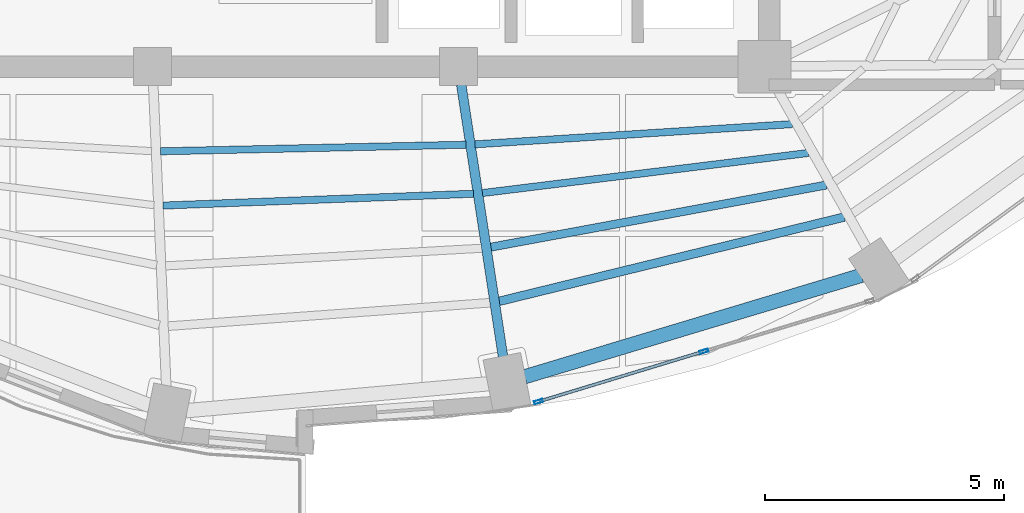
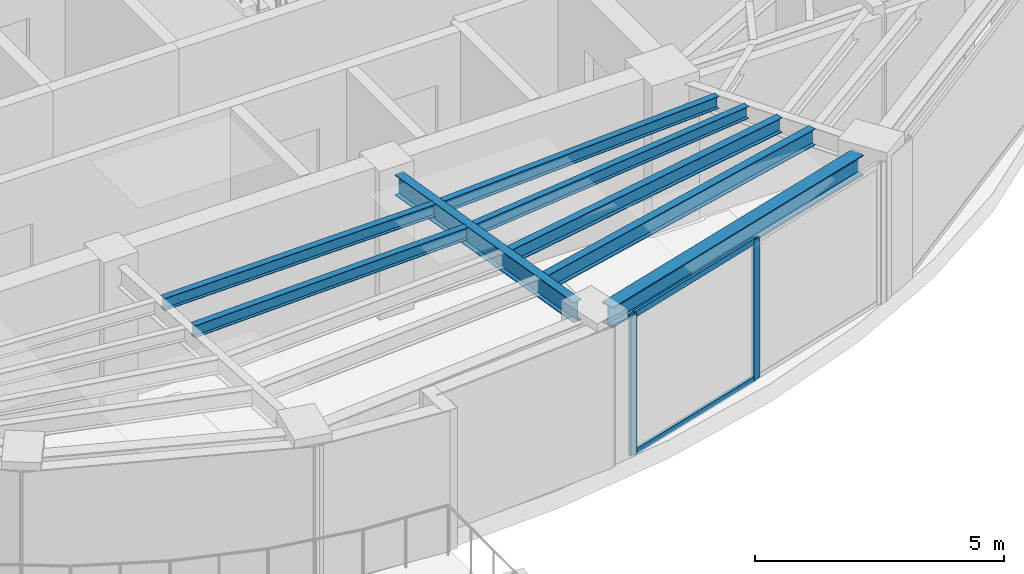
# One storey, part 2 of 15: 8 beams, 4 members, 1 element without a shape of its own.
"""IFC4 building model written with IfcOpenShell, lengths in metres."""

import ifcopenshell
import ifcopenshell.guid

model = None  # the IFC model being written
_history = None  # IfcOwnerHistory: only IFC2X3 demands one
_inside = {}  # id of a spatial element -> (the spatial element, [elements in it])
_under = {}  # id of a project, library or spatial element -> (it, [spatial elements below it])
_declared = {}  # id of a project -> (the project, [libraries it declares])
_typed = {}  # id of a type object -> (the type object, [elements of that type])
_made_of = {}  # id of a material, layer set ... -> (it, [elements and type objects made of it])


def new_model(schema):
    """Start an empty IFC model of exactly this schema.

    Asked for "IFC4X3", IfcOpenShell would pick the latest addendum, in which some entities
    have other attributes; the version numbers below select the first issue.
    IFC2X3 requires an IfcOwnerHistory on every rooted entity: one is made here for all.
    """
    global model, _history
    if schema == "IFC4X3":
        model = ifcopenshell.file(schema_version=(4, 3, 0, 0))
    else:
        model = ifcopenshell.file(schema=schema)
    _inside.clear()
    _under.clear()
    _declared.clear()
    _typed.clear()
    _made_of.clear()
    _history = None
    if model.schema == "IFC2X3":
        org = make("IfcOrganization", Name="unknown")
        user = make(
            "IfcPersonAndOrganization",
            ThePerson=make("IfcPerson", FamilyName="unknown"),
            TheOrganization=org,
        )
        app = make(
            "IfcApplication",
            ApplicationDeveloper=org,
            Version="unknown",
            ApplicationFullName="unknown",
            ApplicationIdentifier="unknown",
        )
        _history = make(
            "IfcOwnerHistory",
            OwningUser=user,
            OwningApplication=app,
            ChangeAction="ADDED",
            CreationDate=0,
        )
    return model


def make(cls, **values):
    """One entity of the class cls with the attributes given. An attribute that is None is left unset."""
    return model.create_entity(
        cls, **{name: value for name, value in values.items() if value is not None}
    )


def rooted(cls, **values):
    """An entity with a GlobalId (a new one), such as an element, a storey or a relation."""
    return make(cls, GlobalId=ifcopenshell.guid.new(), OwnerHistory=_history, **values)


def si_unit(unit_type, name, prefix=None):
    """IfcSIUnit, for example si_unit("LENGTHUNIT", "METRE", prefix="MILLI")."""
    return make("IfcSIUnit", UnitType=unit_type, Prefix=prefix, Name=name)


def assignment(units):
    """IfcUnitAssignment: the units of a project."""
    return None if units is None else make("IfcUnitAssignment", Units=units)


def point(xyz):
    """IfcCartesianPoint."""
    return None if xyz is None else make("IfcCartesianPoint", Coordinates=xyz)


def direction(xyz):
    """IfcDirection."""
    return None if xyz is None else make("IfcDirection", DirectionRatios=xyz)


def frame(location, z_axis=None, x_axis=None):
    """IfcAxis2Placement3D, a coordinate frame: its origin and axes. An axis left out is left unset."""
    return make(
        "IfcAxis2Placement3D",
        Location=point(location),
        Axis=direction(z_axis),
        RefDirection=direction(x_axis),
    )


def frame_2d(location, x_axis=None):
    """IfcAxis2Placement2D, a coordinate frame in the plane: its origin and x axis."""
    return make(
        "IfcAxis2Placement2D", Location=point(location), RefDirection=direction(x_axis)
    )


def origin():
    """The frame at (0, 0, 0) with its axes left unset."""
    return frame((0.0, 0.0, 0.0))


def origin_2d():
    """The frame at (0, 0) in the plane with its x axis left unset."""
    return frame_2d((0.0, 0.0))


def place(relative_to, where):
    """IfcLocalPlacement: puts the frame where relative to a parent placement (None: the world)."""
    return make(
        "IfcLocalPlacement", PlacementRelTo=relative_to, RelativePlacement=where
    )


def context(
    kind, dimensions, precision=None, world=None, true_north=None, identifier=None
):
    """IfcGeometricRepresentationContext, for example the 3D "Model" context."""
    return make(
        "IfcGeometricRepresentationContext",
        ContextIdentifier=identifier,
        ContextType=kind,
        CoordinateSpaceDimension=dimensions,
        Precision=precision,
        WorldCoordinateSystem=world,
        TrueNorth=true_north,
    )


def subcontext(parent, identifier, kind, view, scale=None):
    """IfcGeometricRepresentationSubContext, for example "Body" below "Model"."""
    return make(
        "IfcGeometricRepresentationSubContext",
        ContextIdentifier=identifier,
        ContextType=kind,
        ParentContext=parent,
        TargetScale=scale,
        TargetView=view,
    )


def project(units=None, contexts=None):
    """IfcProject with its units and contexts."""
    return rooted(
        "IfcProject",
        Name="project",
        RepresentationContexts=contexts,
        UnitsInContext=assignment(units),
    )


def spatial(cls, under=None, at=None, **own):
    """A site, building, storey or space (cls), placed at a placement, below another one or the project."""
    s = rooted(cls, ObjectPlacement=at, **own)
    if under is not None:
        _under.setdefault(under.id(), (under, []))[1].append(s)
    return s


def profile(cls, at=None, kind="AREA", **sizes):
    """A parametric profile (cls). Its sizes go by their IFC names, for example OverallWidth=200.0."""
    return make(cls, ProfileType=kind, Position=at, **sizes)


def hollow_rectangle(**sizes):
    """IfcRectangleHollowProfileDef."""
    return profile("IfcRectangleHollowProfileDef", **sizes)


def i_section(**sizes):
    """IfcIShapeProfileDef."""
    return profile("IfcIShapeProfileDef", **sizes)


def extrude(swept, where, along, depth):
    """IfcExtrudedAreaSolid: the profile swept, set in the frame where, extruded along a direction by depth."""
    return make(
        "IfcExtrudedAreaSolid",
        SweptArea=swept,
        Position=where,
        ExtrudedDirection=direction(along),
        Depth=depth,
    )


def shape(context_of_items, identifier, shape_type, items):
    """IfcShapeRepresentation: the items that make up one representation, for example the "Body"."""
    return make(
        "IfcShapeRepresentation",
        ContextOfItems=context_of_items,
        RepresentationIdentifier=identifier,
        RepresentationType=shape_type,
        Items=items,
    )


def material(Name=None, Category=None):
    """IfcMaterial."""
    return make("IfcMaterial", Name=Name, Category=Category)


def layer(
    of_material, thickness, ventilated=None, Name=None, Category=None, Priority=None
):
    """IfcMaterialLayer: one layer of a wall or slab, of a material (None: an air gap)."""
    return make(
        "IfcMaterialLayer",
        Material=of_material,
        LayerThickness=thickness,
        IsVentilated=ventilated,
        Name=Name,
        Category=Category,
        Priority=Priority,
    )


def layer_set(layers, Name=None):
    """IfcMaterialLayerSet."""
    return make("IfcMaterialLayerSet", MaterialLayers=layers, LayerSetName=Name)


def material_profile(
    of_material, cross_section, Name=None, Category=None, Priority=None
):
    """IfcMaterialProfile: a cross section and its material."""
    return make(
        "IfcMaterialProfile",
        Name=Name,
        Material=of_material,
        Profile=cross_section,
        Priority=Priority,
        Category=Category,
    )


def profile_set(profiles, Name=None, composite=None):
    """IfcMaterialProfileSet."""
    return make(
        "IfcMaterialProfileSet",
        Name=Name,
        MaterialProfiles=profiles,
        CompositeProfile=composite,
    )


def made_of(thing, what):
    """Note that an element or type object is made of a material, layer set ...; save() writes the relation."""
    if what is not None:
        _made_of.setdefault(what.id(), (what, []))[1].append(thing)
    return thing


def type_object(cls, material=None, **own):
    """A type object (cls), such as IfcWallType, which elements share."""
    return made_of(rooted(cls, **own), material)


def element(
    cls,
    number,
    at=None,
    inside=None,
    cuts=None,
    type_object=None,
    material=None,
    context=None,
    identifier="Body",
    shape_type=None,
    held_by="IfcProductDefinitionShape",
    body=None,
    shapes=None,
    **own,
):
    """One element of the class cls, such as IfcWall. Its Tag is "e" and its number.

    at: its placement. inside: the storey or other place that contains it. cuts: it is an
    opening in that element (IfcRelVoidsElement). A single representation is given by context,
    identifier, shape_type and body (its items); several are given by shapes. held_by: the class
    of the entity that holds the representations. save() writes the other relations.
    """
    e = rooted(cls, Tag="e%d" % number, ObjectPlacement=at, **own)
    if body is not None:
        shapes = [shape(context, identifier, shape_type, body)]
    if shapes is not None:
        e.Representation = make(held_by, Representations=shapes)
    if inside is not None:
        _inside.setdefault(inside.id(), (inside, []))[1].append(e)
    if cuts is not None:
        rooted(
            "IfcRelVoidsElement", RelatingBuildingElement=cuts, RelatedOpeningElement=e
        )
    if type_object is not None:
        _typed.setdefault(type_object.id(), (type_object, []))[1].append(e)
    return made_of(e, material)


def aggregate(whole, parts):
    """IfcRelAggregates: a whole, such as a stair, and the parts it consists of."""
    return rooted("IfcRelAggregates", RelatingObject=whole, RelatedObjects=parts)


def save(model, path):
    """Write the relations noted so far, then the file.

    IfcRelAggregates (storeys below a building ...), IfcRelContainedInSpatialStructure (elements
    in a storey), IfcRelDefinesByType, IfcRelAssociatesMaterial and IfcRelDeclares: one each for
    every whole, place, type object, material and project.
    """
    for whole, parts in _under.values():
        aggregate(whole, parts)
    for where, things in _inside.values():
        rooted(
            "IfcRelContainedInSpatialStructure",
            RelatedElements=things,
            RelatingStructure=where,
        )
    for kind, things in _typed.values():
        rooted("IfcRelDefinesByType", RelatedObjects=things, RelatingType=kind)
    for what, things in _made_of.values():
        rooted("IfcRelAssociatesMaterial", RelatedObjects=things, RelatingMaterial=what)
    for by, libraries in _declared.values():
        rooted("IfcRelDeclares", RelatingContext=by, RelatedDefinitions=libraries)
    model.write(path)


model = new_model("IFC4")

# Units and contexts
model_context = context("Model", 3, precision=1e-05, world=origin(), true_north=direction((0.0, 1.0)))
body_context = subcontext(model_context, "Body", "Model", "MODEL_VIEW")
ifc_project = project(units=[si_unit("LENGTHUNIT", "METRE"), si_unit("AREAUNIT", "SQUARE_METRE"), si_unit("VOLUMEUNIT", "CUBIC_METRE"), si_unit("PLANEANGLEUNIT", "RADIAN"), si_unit("MASSUNIT", "GRAM", prefix="KILO")], contexts=[model_context])

# Site, building, storey
site_placement = place(None, origin())
site = spatial("IfcSite", under=ifc_project, at=site_placement, CompositionType="ELEMENT")
building_placement = place(site_placement, origin())
building = spatial("IfcBuilding", under=site, at=building_placement, Name="Lazwardi Medical Tower", CompositionType="ELEMENT")
storey_placement = place(building_placement, frame((0.0, 0.0, 269.615966796875)))
storey = spatial("IfcBuildingStorey", under=building, at=storey_placement, Name="L70", CompositionType="ELEMENT", Elevation=269.615966796875)

# Beams
ifc_material_1 = material(Name="Steel S355", Category="steel")
ifc_material_profile_1 = material_profile(ifc_material_1, i_section(OverallWidth=0.300048828125, OverallDepth=0.5, WebThickness=0.014404296875, FlangeThickness=0.028076171875, at=origin_2d()), Name="HEB 500")
ifc_profile_set_1 = profile_set([ifc_material_profile_1], Name="Steel S355")
beam_type_1 = type_object("IfcBeamType", Name="BM-RB-Z4", PredefinedType="BEAM", material=ifc_profile_set_1)
beam_1_placement = place(storey_placement, frame((40.58740234375, 13.9140625, 3.197998046875), z_axis=(0.957544311906, 0.288286126506, 0.0), x_axis=(-0.288286126506, 0.957544311906, 0.0)))
element("IfcBeam", 1, at=beam_1_placement, inside=storey, type_object=beam_type_1, Name="Ring beam RB-05 B01 L70", PredefinedType="BEAM", context=body_context, shape_type="SweptSolid", body=[
    extrude(i_section(OverallWidth=0.300048828125, OverallDepth=0.5, WebThickness=0.014404296875, FlangeThickness=0.028076171875, at=origin_2d()), origin(), (0.0, 0.0, 1.0), 7.3515625),
])
ifc_material_profile_2 = material_profile(ifc_material_1, i_section(OverallWidth=0.199951171875, OverallDepth=0.5, WebThickness=0.01025390625, FlangeThickness=0.01611328125, at=origin_2d()), Name="IPE 500")
ifc_profile_set_2 = profile_set([ifc_material_profile_2], Name="Steel S355")
beam_type_2 = type_object("IfcBeamType", Name="BM-RG-W3", PredefinedType="BEAM", material=ifc_profile_set_2)
beam_2_placement = place(storey_placement, frame((40.1328125, 14.33056640625, 3.197998046875), z_axis=(-0.151894625259, 0.988396693043, 0.0), x_axis=(-0.988396693043, -0.151894625259, 0.0)))
element("IfcBeam", 2, at=beam_2_placement, inside=storey, type_object=beam_type_2, Name="Radial girder RG-04 R01 L70", PredefinedType="BEAM", context=body_context, shape_type="SweptSolid", body=[
    extrude(i_section(OverallWidth=0.199951171875, OverallDepth=0.5, WebThickness=0.01025390625, FlangeThickness=0.01611328125, at=origin_2d()), origin(), (0.0, 0.0, 1.0), 5.755859375),
])
ifc_material_profile_3 = material_profile(ifc_material_1, i_section(OverallWidth=0.179931640625, OverallDepth=0.39990234375, WebThickness=0.008544921875, FlangeThickness=0.013427734375, at=origin_2d()), Name="IPE 400")
ifc_profile_set_3 = profile_set([ifc_material_profile_3], Name="Steel S355")
beam_type_3 = type_object("IfcBeamType", Name="BM-SJ-01", PredefinedType="JOIST", material=ifc_profile_set_3)
beam_3_placement = place(storey_placement, frame((40.050048828125, 15.49072265625, 3.248046875), z_axis=(0.971461103721, 0.237198912219, 0.0), x_axis=(-0.237198912219, 0.971461103721, 0.0)))
element("IfcBeam", 3, at=beam_3_placement, inside=storey, type_object=beam_type_3, Name="Secondary joist SJ-01 R1 B01 L70", PredefinedType="JOIST", context=body_context, shape_type="SweptSolid", body=[
    extrude(i_section(OverallWidth=0.179931640625, OverallDepth=0.39990234375, WebThickness=0.008544921875, FlangeThickness=0.013427734375, at=origin_2d()), origin(), (0.0, 0.0, 1.0), 7.432373046875),
])
ifc_material_profile_4 = material_profile(ifc_material_1, i_section(OverallWidth=0.169921875, OverallDepth=0.360107421875, WebThickness=0.008056640625, FlangeThickness=0.0126953125, at=origin_2d()), Name="IPE 360")
ifc_profile_set_4 = profile_set([ifc_material_profile_4], Name="Steel S355")
beam_type_4 = type_object("IfcBeamType", Name="BM-SJ-02", PredefinedType="JOIST", material=ifc_profile_set_4)
beam_4_placement = place(storey_placement, frame((39.87646484375, 16.623291015625, 3.26806640625), z_axis=(0.983270661344, 0.182150505189, 0.0), x_axis=(-0.182150505189, 0.983270661344, 0.0)))
element("IfcBeam", 4, at=beam_4_placement, inside=storey, type_object=beam_type_4, Name="Secondary joist SJ-02 R2 B01 L70", PredefinedType="JOIST", context=body_context, shape_type="SweptSolid", body=[
    extrude(i_section(OverallWidth=0.169921875, OverallDepth=0.360107421875, WebThickness=0.008056640625, FlangeThickness=0.0126953125, at=origin_2d()), origin(), (0.0, 0.0, 1.0), 7.13720703125),
])
ifc_material_profile_5 = material_profile(ifc_material_1, i_section(OverallWidth=0.14990234375, OverallDepth=0.300048828125, WebThickness=0.007080078125, FlangeThickness=0.0107421875, at=origin_2d()), Name="IPE 300")
ifc_profile_set_5 = profile_set([ifc_material_profile_5], Name="Steel S355")
beam_type_5 = type_object("IfcBeamType", Name="BM-SJ-03", PredefinedType="JOIST", material=ifc_profile_set_5)
beam_5_placement = place(storey_placement, frame((39.702392578125, 17.755615234375, 3.298095703125), z_axis=(0.992528507109, 0.122012960685, 0.0), x_axis=(-0.122012960685, 0.992528507109, 0.0)))
element("IfcBeam", 5, at=beam_5_placement, inside=storey, type_object=beam_type_5, Name="Secondary joist SJ-03 R3 B01 L70", PredefinedType="JOIST", context=body_context, shape_type="SweptSolid", body=[
    extrude(i_section(OverallWidth=0.14990234375, OverallDepth=0.300048828125, WebThickness=0.007080078125, FlangeThickness=0.0107421875, at=origin_2d()), origin(), (0.0, 0.0, 1.0), 6.8671875),
])
beam_6_placement = place(storey_placement, frame((33.020751953125, 17.493408203125, 3.298095703125), z_axis=(0.999278116384, 0.037990079181, 0.0), x_axis=(-0.037990079181, 0.999278116384, 0.0)))
element("IfcBeam", 6, at=beam_6_placement, inside=storey, type_object=beam_type_5, Name="Secondary joist SJ-03 R3 B16 L70", PredefinedType="JOIST", context=body_context, shape_type="SweptSolid", body=[
    extrude(i_section(OverallWidth=0.14990234375, OverallDepth=0.300048828125, WebThickness=0.007080078125, FlangeThickness=0.0107421875, at=origin_2d()), origin(), (0.0, 0.0, 1.0), 6.4970703125),
])
beam_7_placement = place(storey_placement, frame((39.545654296875, 18.77392578125, 3.298095703125), z_axis=(0.997972905644, 0.063640235704, 0.0), x_axis=(-0.063640235704, 0.997972905644, 0.0)))
element("IfcBeam", 7, at=beam_7_placement, inside=storey, type_object=beam_type_5, Name="Secondary joist SJ-03 R4 B01 L70", PredefinedType="JOIST", context=body_context, shape_type="SweptSolid", body=[
    extrude(i_section(OverallWidth=0.14990234375, OverallDepth=0.300048828125, WebThickness=0.007080078125, FlangeThickness=0.0107421875, at=origin_2d()), origin(), (0.0, 0.0, 1.0), 6.648193359375),
])
beam_8_placement = place(storey_placement, frame((32.9716796875, 18.62841796875, 3.298095703125), z_axis=(0.999768300197, 0.021525471452, 0.0), x_axis=(-0.021525471452, 0.999768300197, 0.0)))
element("IfcBeam", 8, at=beam_8_placement, inside=storey, type_object=beam_type_5, Name="Secondary joist SJ-03 R4 B16 L70", PredefinedType="JOIST", context=body_context, shape_type="SweptSolid", body=[
    extrude(i_section(OverallWidth=0.14990234375, OverallDepth=0.300048828125, WebThickness=0.007080078125, FlangeThickness=0.0107421875, at=origin_2d()), origin(), (0.0, 0.0, 1.0), 6.385498046875),
])

# Curtain wall, members
ifc_material_2 = material(Name="Anodised bronze aluminium and solar control glazing", Category="aluminium")
ifc_layer = layer(ifc_material_2, 0.18994140625)
ifc_layer_set = layer_set([ifc_layer], Name="Anodised bronze aluminium and solar control glazing")
curtain_wall_type = type_object("IfcCurtainWallType", Name="CW-SYS-04", PredefinedType="NOTDEFINED", material=ifc_layer_set)
curtain_wall_placement = place(storey_placement, origin())
curtain_wall = element("IfcCurtainWall", 9, at=curtain_wall_placement, inside=storey, type_object=curtain_wall_type, Name="L70 Unitised bronze curtain wall CW-04", PredefinedType="NOTDEFINED")
ifc_material_3 = material(Name="Anodised bronze aluminium", Category="aluminium")
ifc_material_profile_6 = material_profile(ifc_material_3, hollow_rectangle(XDim=0.06494140625, YDim=0.179931640625, WallThickness=0.00390625, at=origin_2d()), Name="ALU-MULLION 180x65x4")
ifc_profile_set_6 = profile_set([ifc_material_profile_6], Name="Anodised bronze aluminium")
member_type_1 = type_object("IfcMemberType", Name="CW-MUL-03", PredefinedType="MULLION", material=ifc_profile_set_6)
member_1_placement = place(storey_placement, frame((40.873046875, 13.392822265625, 0.0), z_axis=(0.0, 0.0, 1.0), x_axis=(-0.290581889515, 0.956850126972, 0.0)))
member_1 = element("IfcMember", 10, at=member_1_placement, type_object=member_type_1, Name="CW-04 mullion 1", PredefinedType="MULLION", context=body_context, shape_type="SweptSolid", body=[
    extrude(hollow_rectangle(XDim=0.06494140625, YDim=0.179931640625, WallThickness=0.00390625, at=origin_2d()), origin(), (0.0, 0.0, 1.0), 3.447998046875),
])
member_2_placement = place(storey_placement, frame((44.33642578125, 14.444580078125, 0.0), z_axis=(0.0, 0.0, 1.0), x_axis=(-0.290581889515, 0.956850126972, 0.0)))
member_2 = element("IfcMember", 11, at=member_2_placement, type_object=member_type_1, Name="CW-04 mullion 2", PredefinedType="MULLION", context=body_context, shape_type="SweptSolid", body=[
    extrude(hollow_rectangle(XDim=0.06494140625, YDim=0.179931640625, WallThickness=0.00390625, at=origin_2d()), origin(), (0.0, 0.0, 1.0), 3.447998046875),
])
ifc_material_profile_7 = material_profile(ifc_material_3, hollow_rectangle(XDim=0.06494140625, YDim=0.139892578125, WallThickness=0.00341796875, at=origin_2d()), Name="ALU-TRANSOM 140x65x3.5")
ifc_profile_set_7 = profile_set([ifc_material_profile_7], Name="Anodised bronze aluminium")
member_type_2 = type_object("IfcMemberType", Name="CW-TRN-03", PredefinedType="USERDEFINED", material=ifc_profile_set_7)
member_3_placement = place(storey_placement, frame((40.904296875, 13.40234375, 0.032470703125), z_axis=(0.956843409009, 0.290604010015, 0.0), x_axis=(-0.290604010015, 0.956843409009, 0.0)))
member_3 = element("IfcMember", 12, at=member_3_placement, type_object=member_type_2, Name="CW-04 transom 1.1", ObjectType="TRANSOM", PredefinedType="USERDEFINED", context=body_context, shape_type="SweptSolid", body=[
    extrude(hollow_rectangle(XDim=0.06494140625, YDim=0.139892578125, WallThickness=0.00341796875, at=origin_2d()), origin(), (0.0, 0.0, 1.0), 3.554443359375),
])
member_4_placement = place(storey_placement, frame((40.904296875, 13.40234375, 3.41552734375), z_axis=(0.956843409009, 0.290604010015, 0.0), x_axis=(-0.290604010015, 0.956843409009, 0.0)))
member_4 = element("IfcMember", 13, at=member_4_placement, type_object=member_type_2, Name="CW-04 transom 1.2", ObjectType="TRANSOM", PredefinedType="USERDEFINED", context=body_context, shape_type="SweptSolid", body=[
    extrude(hollow_rectangle(XDim=0.06494140625, YDim=0.139892578125, WallThickness=0.00341796875, at=origin_2d()), origin(), (0.0, 0.0, 1.0), 3.554443359375),
])
aggregate(curtain_wall, [member_1, member_2, member_3, member_4])

save(model, "model.ifc")
